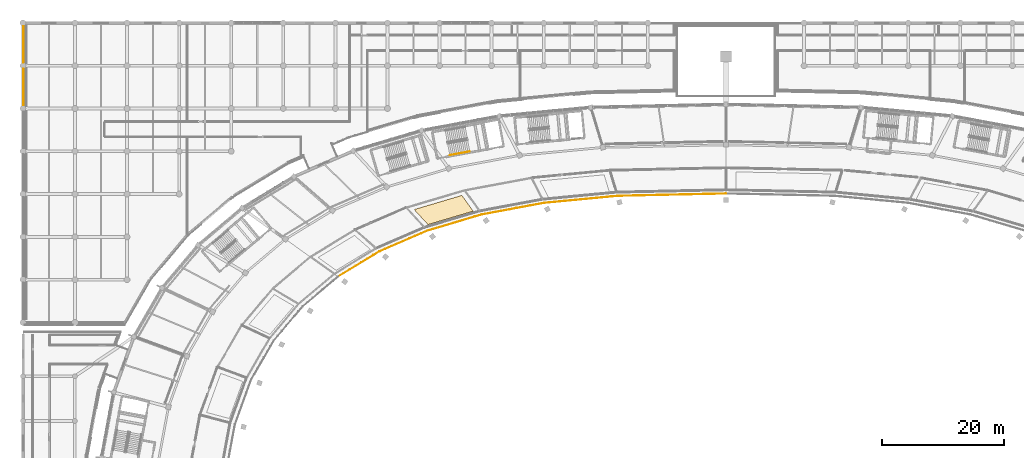
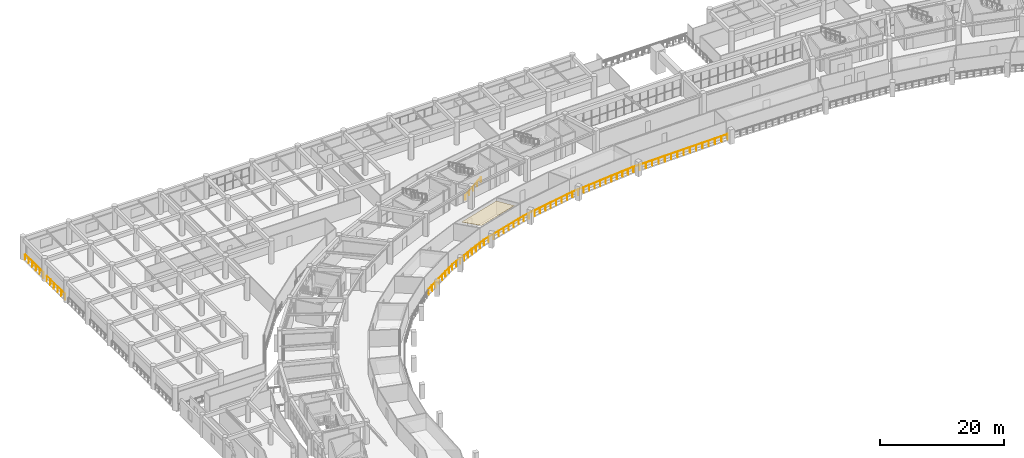
# One storey, part 135 of 141: 4 railings, 1 covering.
"""IFC4 building model written with IfcOpenShell, lengths in metres."""

import ifcopenshell
import ifcopenshell.guid

model = None  # the IFC model being written
_history = None  # IfcOwnerHistory: only IFC2X3 demands one
_inside = {}  # id of a spatial element -> (the spatial element, [elements in it])
_under = {}  # id of a project, library or spatial element -> (it, [spatial elements below it])
_declared = {}  # id of a project -> (the project, [libraries it declares])
_typed = {}  # id of a type object -> (the type object, [elements of that type])
_made_of = {}  # id of a material, layer set ... -> (it, [elements and type objects made of it])


def new_model(schema):
    """Start an empty IFC model of exactly this schema.

    Asked for "IFC4X3", IfcOpenShell would pick the latest addendum, in which some entities
    have other attributes; the version numbers below select the first issue.
    IFC2X3 requires an IfcOwnerHistory on every rooted entity: one is made here for all.
    """
    global model, _history
    if schema == "IFC4X3":
        model = ifcopenshell.file(schema_version=(4, 3, 0, 0))
    else:
        model = ifcopenshell.file(schema=schema)
    _inside.clear()
    _under.clear()
    _declared.clear()
    _typed.clear()
    _made_of.clear()
    _history = None
    if model.schema == "IFC2X3":
        org = make("IfcOrganization", Name="unknown")
        user = make(
            "IfcPersonAndOrganization",
            ThePerson=make("IfcPerson", FamilyName="unknown"),
            TheOrganization=org,
        )
        app = make(
            "IfcApplication",
            ApplicationDeveloper=org,
            Version="unknown",
            ApplicationFullName="unknown",
            ApplicationIdentifier="unknown",
        )
        _history = make(
            "IfcOwnerHistory",
            OwningUser=user,
            OwningApplication=app,
            ChangeAction="ADDED",
            CreationDate=0,
        )
    return model


def make(cls, **values):
    """One entity of the class cls with the attributes given. An attribute that is None is left unset."""
    return model.create_entity(
        cls, **{name: value for name, value in values.items() if value is not None}
    )


def rooted(cls, **values):
    """An entity with a GlobalId (a new one), such as an element, a storey or a relation."""
    return make(cls, GlobalId=ifcopenshell.guid.new(), OwnerHistory=_history, **values)


def si_unit(unit_type, name, prefix=None):
    """IfcSIUnit, for example si_unit("LENGTHUNIT", "METRE", prefix="MILLI")."""
    return make("IfcSIUnit", UnitType=unit_type, Prefix=prefix, Name=name)


def assignment(units):
    """IfcUnitAssignment: the units of a project."""
    return None if units is None else make("IfcUnitAssignment", Units=units)


def point(xyz):
    """IfcCartesianPoint."""
    return None if xyz is None else make("IfcCartesianPoint", Coordinates=xyz)


def direction(xyz):
    """IfcDirection."""
    return None if xyz is None else make("IfcDirection", DirectionRatios=xyz)


def frame(location, z_axis=None, x_axis=None):
    """IfcAxis2Placement3D, a coordinate frame: its origin and axes. An axis left out is left unset."""
    return make(
        "IfcAxis2Placement3D",
        Location=point(location),
        Axis=direction(z_axis),
        RefDirection=direction(x_axis),
    )


def frame_2d(location, x_axis=None):
    """IfcAxis2Placement2D, a coordinate frame in the plane: its origin and x axis."""
    return make(
        "IfcAxis2Placement2D", Location=point(location), RefDirection=direction(x_axis)
    )


def origin():
    """The frame at (0, 0, 0) with its axes left unset."""
    return frame((0.0, 0.0, 0.0))


def origin_2d():
    """The frame at (0, 0) in the plane with its x axis left unset."""
    return frame_2d((0.0, 0.0))


def place(relative_to, where):
    """IfcLocalPlacement: puts the frame where relative to a parent placement (None: the world)."""
    return make(
        "IfcLocalPlacement", PlacementRelTo=relative_to, RelativePlacement=where
    )


def context(
    kind, dimensions, precision=None, world=None, true_north=None, identifier=None
):
    """IfcGeometricRepresentationContext, for example the 3D "Model" context."""
    return make(
        "IfcGeometricRepresentationContext",
        ContextIdentifier=identifier,
        ContextType=kind,
        CoordinateSpaceDimension=dimensions,
        Precision=precision,
        WorldCoordinateSystem=world,
        TrueNorth=true_north,
    )


def subcontext(parent, identifier, kind, view, scale=None):
    """IfcGeometricRepresentationSubContext, for example "Body" below "Model"."""
    return make(
        "IfcGeometricRepresentationSubContext",
        ContextIdentifier=identifier,
        ContextType=kind,
        ParentContext=parent,
        TargetScale=scale,
        TargetView=view,
    )


def project(units=None, contexts=None):
    """IfcProject with its units and contexts."""
    return rooted(
        "IfcProject",
        Name="project",
        RepresentationContexts=contexts,
        UnitsInContext=assignment(units),
    )


def spatial(cls, under=None, at=None, **own):
    """A site, building, storey or space (cls), placed at a placement, below another one or the project."""
    s = rooted(cls, ObjectPlacement=at, **own)
    if under is not None:
        _under.setdefault(under.id(), (under, []))[1].append(s)
    return s


def polyline(points):
    """IfcPolyline through the points."""
    return make("IfcPolyline", Points=[point(p) for p in points])


def profile(cls, at=None, kind="AREA", **sizes):
    """A parametric profile (cls). Its sizes go by their IFC names, for example OverallWidth=200.0."""
    return make(cls, ProfileType=kind, Position=at, **sizes)


def circle(**sizes):
    """IfcCircleProfileDef."""
    return profile("IfcCircleProfileDef", **sizes)


def outline(outer, holes=None, kind="AREA"):
    """IfcArbitraryClosedProfileDef: a profile drawn as a closed curve; with holes, ...WithVoids."""
    if holes is None:
        return make("IfcArbitraryClosedProfileDef", ProfileType=kind, OuterCurve=outer)
    return make(
        "IfcArbitraryProfileDefWithVoids",
        ProfileType=kind,
        OuterCurve=outer,
        InnerCurves=holes,
    )


def extrude(swept, where, along, depth):
    """IfcExtrudedAreaSolid: the profile swept, set in the frame where, extruded along a direction by depth."""
    return make(
        "IfcExtrudedAreaSolid",
        SweptArea=swept,
        Position=where,
        ExtrudedDirection=direction(along),
        Depth=depth,
    )


def shape(context_of_items, identifier, shape_type, items):
    """IfcShapeRepresentation: the items that make up one representation, for example the "Body"."""
    return make(
        "IfcShapeRepresentation",
        ContextOfItems=context_of_items,
        RepresentationIdentifier=identifier,
        RepresentationType=shape_type,
        Items=items,
    )


def material(Name=None, Category=None):
    """IfcMaterial."""
    return make("IfcMaterial", Name=Name, Category=Category)


def layer(
    of_material, thickness, ventilated=None, Name=None, Category=None, Priority=None
):
    """IfcMaterialLayer: one layer of a wall or slab, of a material (None: an air gap)."""
    return make(
        "IfcMaterialLayer",
        Material=of_material,
        LayerThickness=thickness,
        IsVentilated=ventilated,
        Name=Name,
        Category=Category,
        Priority=Priority,
    )


def layer_set(layers, Name=None):
    """IfcMaterialLayerSet."""
    return make("IfcMaterialLayerSet", MaterialLayers=layers, LayerSetName=Name)


def made_of(thing, what):
    """Note that an element or type object is made of a material, layer set ...; save() writes the relation."""
    if what is not None:
        _made_of.setdefault(what.id(), (what, []))[1].append(thing)
    return thing


def type_object(cls, material=None, **own):
    """A type object (cls), such as IfcWallType, which elements share."""
    return made_of(rooted(cls, **own), material)


def element(
    cls,
    number,
    at=None,
    inside=None,
    cuts=None,
    type_object=None,
    material=None,
    context=None,
    identifier="Body",
    shape_type=None,
    held_by="IfcProductDefinitionShape",
    body=None,
    shapes=None,
    **own,
):
    """One element of the class cls, such as IfcWall. Its Tag is "e" and its number.

    at: its placement. inside: the storey or other place that contains it. cuts: it is an
    opening in that element (IfcRelVoidsElement). A single representation is given by context,
    identifier, shape_type and body (its items); several are given by shapes. held_by: the class
    of the entity that holds the representations. save() writes the other relations.
    """
    e = rooted(cls, Tag="e%d" % number, ObjectPlacement=at, **own)
    if body is not None:
        shapes = [shape(context, identifier, shape_type, body)]
    if shapes is not None:
        e.Representation = make(held_by, Representations=shapes)
    if inside is not None:
        _inside.setdefault(inside.id(), (inside, []))[1].append(e)
    if cuts is not None:
        rooted(
            "IfcRelVoidsElement", RelatingBuildingElement=cuts, RelatedOpeningElement=e
        )
    if type_object is not None:
        _typed.setdefault(type_object.id(), (type_object, []))[1].append(e)
    return made_of(e, material)


def aggregate(whole, parts):
    """IfcRelAggregates: a whole, such as a stair, and the parts it consists of."""
    return rooted("IfcRelAggregates", RelatingObject=whole, RelatedObjects=parts)


def save(model, path):
    """Write the relations noted so far, then the file.

    IfcRelAggregates (storeys below a building ...), IfcRelContainedInSpatialStructure (elements
    in a storey), IfcRelDefinesByType, IfcRelAssociatesMaterial and IfcRelDeclares: one each for
    every whole, place, type object, material and project.
    """
    for whole, parts in _under.values():
        aggregate(whole, parts)
    for where, things in _inside.values():
        rooted(
            "IfcRelContainedInSpatialStructure",
            RelatedElements=things,
            RelatingStructure=where,
        )
    for kind, things in _typed.values():
        rooted("IfcRelDefinesByType", RelatedObjects=things, RelatingType=kind)
    for what, things in _made_of.values():
        rooted("IfcRelAssociatesMaterial", RelatedObjects=things, RelatingMaterial=what)
    for by, libraries in _declared.values():
        rooted("IfcRelDeclares", RelatingContext=by, RelatedDefinitions=libraries)
    model.write(path)


model = new_model("IFC4")

# Units and contexts
model_context = context("Model", 3, precision=1e-05, world=origin(), true_north=direction((0.0, 1.0)))
body_context = subcontext(model_context, "Body", "Model", "MODEL_VIEW")
ifc_project = project(units=[si_unit("LENGTHUNIT", "METRE"), si_unit("AREAUNIT", "SQUARE_METRE"), si_unit("VOLUMEUNIT", "CUBIC_METRE"), si_unit("PLANEANGLEUNIT", "RADIAN"), si_unit("MASSUNIT", "GRAM", prefix="KILO")], contexts=[model_context])

# Site, building, storey
site_placement = place(None, origin())
site = spatial("IfcSite", under=ifc_project, at=site_placement, CompositionType="ELEMENT")
building_placement = place(site_placement, origin())
building = spatial("IfcBuilding", under=site, at=building_placement, Name="Mphavela Belvedere Stadium", CompositionType="ELEMENT")
storey_placement = place(building_placement, frame((0.0, 0.0, 14.699951171875)))
storey = spatial("IfcBuildingStorey", under=building, at=storey_placement, Name="L03", CompositionType="ELEMENT", Elevation=14.699951171875)

# Covering
ifc_material_1 = material(Name="Perforated acoustic mineral ceiling tile")
ifc_layer = layer(ifc_material_1, 0.0400390625)
ifc_layer_set = layer_set([ifc_layer], Name="Perforated acoustic mineral ceiling tile")
covering_type = type_object("IfcCoveringType", Name="COV-CEILING-ACOUSTIC", PredefinedType="CEILING", material=ifc_layer_set)
covering_placement = place(storey_placement, frame((0.0, 0.0, 3.199951171875)))
element("IfcCovering", 1, at=covering_placement, inside=storey, type_object=covering_type, Name="Concourse acoustic ceiling L03-16", PredefinedType="CEILING", context=body_context, shape_type="SweptSolid", body=[
    extrude(outline(polyline([(73.65234375, 143.20751953125), (66.2607421875, 141.013427734375), (63.997802734375, 143.467529296875), (71.802978515625, 145.7841796875), (73.65234375, 143.20751953125)])), origin(), (0.0, 0.0, 1.0), 0.0400390625),
])

# Railings
ifc_material_2 = material(Name="Bronze and laminated glass stadium balustrade", Category="glass")
railing_type_1 = type_object("IfcRailingType", Name="RAL-BALUSTRADE-1120", PredefinedType="BALUSTRADE", material=ifc_material_2)
railing_1_placement = place(storey_placement, frame((115.0, 146.074951171875, 0.0)))
element("IfcRailing", 2, at=railing_1_placement, inside=storey, type_object=railing_type_1, Name="Bowl safety balustrade l03_bowl S3", PredefinedType="BALUSTRADE", context=body_context, shape_type="SweptSolid", body=[
    extrude(circle(Radius=0.02392578125, at=origin_2d()), frame((0.0, 0.0, 1.09619140625), z_axis=(-0.999768266575, -0.021527032999, 0.0), x_axis=(0.021527032999, -0.999768266575, 0.0)), (0.0, 0.0, 1.0), 17.737548828125),
    extrude(circle(Radius=0.02392578125, at=origin_2d()), frame((-17.7333984375, -0.3818359375, 1.09619140625), z_axis=(-0.995484264722, -0.09492670168, 0.0), x_axis=(0.09492670168, -0.995484264722, 0.0)), (0.0, 0.0, 1.0), 12.04931640625),
    extrude(circle(Radius=0.02392578125, at=origin_2d()), frame((-29.728271484375, -1.525634765625, 1.09619140625), z_axis=(-0.983095612922, -0.183092915902, 0.0), x_axis=(0.183092915902, -0.983095612922, 0.0)), (0.0, 0.0, 1.0), 10.382080078125),
    extrude(circle(Radius=0.02392578125, at=origin_2d()), frame((-39.934814453125, -3.426513671875, 1.09619140625), z_axis=(-0.958661836311, -0.284547858189, 0.0), x_axis=(0.284547858189, -0.958661836311, 0.0)), (0.0, 0.0, 1.0), 9.315185546875),
    extrude(circle(Radius=0.02392578125, at=origin_2d()), frame((-48.864990234375, -6.0771484375, 1.09619140625), z_axis=(-0.917499572249, -0.397736765869, 0.0), x_axis=(0.397736765869, -0.917499572249, 0.0)), (0.0, 0.0, 1.0), 8.529052734375),
    extrude(circle(Radius=0.02392578125, at=origin_2d()), frame((-56.6904296875, -9.469482421875, 1.09619140625), z_axis=(-0.854316094817, -0.519753797617, 0.0), x_axis=(0.519753797617, -0.854316094817, 0.0)), (0.0, 0.0, 1.0), 7.940185546875),
    extrude(circle(Radius=0.02099609375, at=origin_2d()), origin(), (0.0, 0.0, 1.0), 1.072021484375),
    extrude(circle(Radius=0.02099609375, at=origin_2d()), frame((-1.18212890625, -0.025390625, 0.0)), (0.0, 0.0, 1.0), 1.072021484375),
    extrude(circle(Radius=0.02099609375, at=origin_2d()), frame((-2.364501953125, -0.051025390625, 0.0)), (0.0, 0.0, 1.0), 1.072021484375),
    extrude(circle(Radius=0.02099609375, at=origin_2d()), frame((-3.546630859375, -0.076416015625, 0.0)), (0.0, 0.0, 1.0), 1.072021484375),
    extrude(circle(Radius=0.02099609375, at=origin_2d()), frame((-4.72900390625, -0.101806640625, 0.0)), (0.0, 0.0, 1.0), 1.072021484375),
    extrude(circle(Radius=0.02099609375, at=origin_2d()), frame((-5.9111328125, -0.127197265625, 0.0)), (0.0, 0.0, 1.0), 1.072021484375),
    extrude(circle(Radius=0.02099609375, at=origin_2d()), frame((-7.09326171875, -0.15283203125, 0.0)), (0.0, 0.0, 1.0), 1.072021484375),
    extrude(circle(Radius=0.02099609375, at=origin_2d()), frame((-8.275634765625, -0.17822265625, 0.0)), (0.0, 0.0, 1.0), 1.072021484375),
    extrude(circle(Radius=0.02099609375, at=origin_2d()), frame((-9.457763671875, -0.20361328125, 0.0)), (0.0, 0.0, 1.0), 1.072021484375),
    extrude(circle(Radius=0.02099609375, at=origin_2d()), frame((-10.64013671875, -0.22900390625, 0.0)), (0.0, 0.0, 1.0), 1.072021484375),
    extrude(circle(Radius=0.02099609375, at=origin_2d()), frame((-11.822265625, -0.254638671875, 0.0)), (0.0, 0.0, 1.0), 1.072021484375),
    extrude(circle(Radius=0.02099609375, at=origin_2d()), frame((-13.00439453125, -0.280029296875, 0.0)), (0.0, 0.0, 1.0), 1.072021484375),
    extrude(circle(Radius=0.02099609375, at=origin_2d()), frame((-14.186767578125, -0.305419921875, 0.0)), (0.0, 0.0, 1.0), 1.072021484375),
    extrude(circle(Radius=0.02099609375, at=origin_2d()), frame((-15.368896484375, -0.330810546875, 0.0)), (0.0, 0.0, 1.0), 1.072021484375),
    extrude(circle(Radius=0.02099609375, at=origin_2d()), frame((-16.55126953125, -0.3564453125, 0.0)), (0.0, 0.0, 1.0), 1.072021484375),
    extrude(circle(Radius=0.02099609375, at=origin_2d()), frame((-17.7333984375, -0.3818359375, 0.0)), (0.0, 0.0, 1.0), 1.072021484375),
    extrude(circle(Radius=0.02099609375, at=origin_2d()), frame((-18.82373046875, -0.48583984375, 0.0)), (0.0, 0.0, 1.0), 1.072021484375),
    extrude(circle(Radius=0.02099609375, at=origin_2d()), frame((-19.914306640625, -0.58984375, 0.0)), (0.0, 0.0, 1.0), 1.072021484375),
    extrude(circle(Radius=0.02099609375, at=origin_2d()), frame((-21.004638671875, -0.69384765625, 0.0)), (0.0, 0.0, 1.0), 1.072021484375),
    extrude(circle(Radius=0.02099609375, at=origin_2d()), frame((-22.09521484375, -0.7978515625, 0.0)), (0.0, 0.0, 1.0), 1.072021484375),
    extrude(circle(Radius=0.02099609375, at=origin_2d()), frame((-23.185546875, -0.90185546875, 0.0)), (0.0, 0.0, 1.0), 1.072021484375),
    extrude(circle(Radius=0.02099609375, at=origin_2d()), frame((-24.276123046875, -1.005615234375, 0.0)), (0.0, 0.0, 1.0), 1.072021484375),
    extrude(circle(Radius=0.02099609375, at=origin_2d()), frame((-25.366455078125, -1.109619140625, 0.0)), (0.0, 0.0, 1.0), 1.072021484375),
    extrude(circle(Radius=0.02099609375, at=origin_2d()), frame((-26.45703125, -1.213623046875, 0.0)), (0.0, 0.0, 1.0), 1.072021484375),
    extrude(circle(Radius=0.02099609375, at=origin_2d()), frame((-27.54736328125, -1.317626953125, 0.0)), (0.0, 0.0, 1.0), 1.072021484375),
    extrude(circle(Radius=0.02099609375, at=origin_2d()), frame((-28.637939453125, -1.421630859375, 0.0)), (0.0, 0.0, 1.0), 1.072021484375),
    extrude(circle(Radius=0.02099609375, at=origin_2d()), frame((-29.728271484375, -1.525634765625, 0.0)), (0.0, 0.0, 1.0), 1.072021484375),
    extrude(circle(Radius=0.02099609375, at=origin_2d()), frame((-30.8623046875, -1.73681640625, 0.0)), (0.0, 0.0, 1.0), 1.072021484375),
    extrude(circle(Radius=0.02099609375, at=origin_2d()), frame((-31.996337890625, -1.947998046875, 0.0)), (0.0, 0.0, 1.0), 1.072021484375),
    extrude(circle(Radius=0.02099609375, at=origin_2d()), frame((-33.13037109375, -2.1591796875, 0.0)), (0.0, 0.0, 1.0), 1.072021484375),
    extrude(circle(Radius=0.02099609375, at=origin_2d()), frame((-34.264404296875, -2.370361328125, 0.0)), (0.0, 0.0, 1.0), 1.072021484375),
    extrude(circle(Radius=0.02099609375, at=origin_2d()), frame((-35.398681640625, -2.581787109375, 0.0)), (0.0, 0.0, 1.0), 1.072021484375),
    extrude(circle(Radius=0.02099609375, at=origin_2d()), frame((-36.53271484375, -2.79296875, 0.0)), (0.0, 0.0, 1.0), 1.072021484375),
    extrude(circle(Radius=0.02099609375, at=origin_2d()), frame((-37.666748046875, -3.004150390625, 0.0)), (0.0, 0.0, 1.0), 1.072021484375),
    extrude(circle(Radius=0.02099609375, at=origin_2d()), frame((-38.80078125, -3.21533203125, 0.0)), (0.0, 0.0, 1.0), 1.072021484375),
    extrude(circle(Radius=0.02099609375, at=origin_2d()), frame((-39.934814453125, -3.426513671875, 0.0)), (0.0, 0.0, 1.0), 1.072021484375),
    extrude(circle(Radius=0.02099609375, at=origin_2d()), frame((-41.051025390625, -3.7578125, 0.0)), (0.0, 0.0, 1.0), 1.072021484375),
    extrude(circle(Radius=0.02099609375, at=origin_2d()), frame((-42.16748046875, -4.089111328125, 0.0)), (0.0, 0.0, 1.0), 1.072021484375),
    extrude(circle(Radius=0.02099609375, at=origin_2d()), frame((-43.28369140625, -4.42041015625, 0.0)), (0.0, 0.0, 1.0), 1.072021484375),
    extrude(circle(Radius=0.02099609375, at=origin_2d()), frame((-44.39990234375, -4.751953125, 0.0)), (0.0, 0.0, 1.0), 1.072021484375),
    extrude(circle(Radius=0.02099609375, at=origin_2d()), frame((-45.51611328125, -5.083251953125, 0.0)), (0.0, 0.0, 1.0), 1.072021484375),
    extrude(circle(Radius=0.02099609375, at=origin_2d()), frame((-46.63232421875, -5.41455078125, 0.0)), (0.0, 0.0, 1.0), 1.072021484375),
    extrude(circle(Radius=0.02099609375, at=origin_2d()), frame((-47.748779296875, -5.745849609375, 0.0)), (0.0, 0.0, 1.0), 1.072021484375),
    extrude(circle(Radius=0.02099609375, at=origin_2d()), frame((-48.864990234375, -6.0771484375, 0.0)), (0.0, 0.0, 1.0), 1.072021484375),
    extrude(circle(Radius=0.02099609375, at=origin_2d()), frame((-49.84326171875, -6.501220703125, 0.0)), (0.0, 0.0, 1.0), 1.072021484375),
    extrude(circle(Radius=0.02099609375, at=origin_2d()), frame((-50.8212890625, -6.92529296875, 0.0)), (0.0, 0.0, 1.0), 1.072021484375),
    extrude(circle(Radius=0.02099609375, at=origin_2d()), frame((-51.799560546875, -7.349365234375, 0.0)), (0.0, 0.0, 1.0), 1.072021484375),
    extrude(circle(Radius=0.02099609375, at=origin_2d()), frame((-52.77783203125, -7.7734375, 0.0)), (0.0, 0.0, 1.0), 1.072021484375),
    extrude(circle(Radius=0.02099609375, at=origin_2d()), frame((-53.755859375, -8.197265625, 0.0)), (0.0, 0.0, 1.0), 1.072021484375),
    extrude(circle(Radius=0.02099609375, at=origin_2d()), frame((-54.734130859375, -8.621337890625, 0.0)), (0.0, 0.0, 1.0), 1.072021484375),
    extrude(circle(Radius=0.02099609375, at=origin_2d()), frame((-55.712158203125, -9.04541015625, 0.0)), (0.0, 0.0, 1.0), 1.072021484375),
    extrude(circle(Radius=0.02099609375, at=origin_2d()), frame((-56.6904296875, -9.469482421875, 0.0)), (0.0, 0.0, 1.0), 1.072021484375),
    extrude(circle(Radius=0.02099609375, at=origin_2d()), frame((-57.659423828125, -10.05908203125, 0.0)), (0.0, 0.0, 1.0), 1.072021484375),
    extrude(circle(Radius=0.02099609375, at=origin_2d()), frame((-58.628662109375, -10.648681640625, 0.0)), (0.0, 0.0, 1.0), 1.072021484375),
    extrude(circle(Radius=0.02099609375, at=origin_2d()), frame((-59.59765625, -11.23828125, 0.0)), (0.0, 0.0, 1.0), 1.072021484375),
    extrude(circle(Radius=0.02099609375, at=origin_2d()), frame((-60.566650390625, -11.82763671875, 0.0)), (0.0, 0.0, 1.0), 1.072021484375),
    extrude(circle(Radius=0.02099609375, at=origin_2d()), frame((-61.53564453125, -12.417236328125, 0.0)), (0.0, 0.0, 1.0), 1.072021484375),
    extrude(circle(Radius=0.02099609375, at=origin_2d()), frame((-62.5048828125, -13.0068359375, 0.0)), (0.0, 0.0, 1.0), 1.072021484375),
    extrude(circle(Radius=0.02099609375, at=origin_2d()), frame((-63.473876953125, -13.596435546875, 0.0)), (0.0, 0.0, 1.0), 1.072021484375),
])
for number, where, name in (
    (3, (0.080078125, 160.54345703125, 0.0), "Peristyle wing gallery edge balustrade L03-42"),
    (4, (0.080078125, 167.54345703125, 0.0), "Peristyle wing gallery edge balustrade L03-43"),
):
    element("IfcRailing", number, at=place(storey_placement, frame(where)), inside=storey, type_object=railing_type_1, Name=name, PredefinedType="BALUSTRADE", context=body_context, shape_type="SweptSolid", body=[
        extrude(circle(Radius=0.02392578125, at=origin_2d()), frame((0.0, 0.0, 1.09619140625), z_axis=(0.0, 1.0, 0.0), x_axis=(-1.0, 0.0, 0.0)), (0.0, 0.0, 1.0), 5.9130859375),
        extrude(circle(Radius=0.02099609375, at=origin_2d()), origin(), (0.0, 0.0, 1.0), 1.072021484375),
        extrude(circle(Radius=0.02099609375, at=origin_2d()), frame((0.0, 1.1826171875, 0.0)), (0.0, 0.0, 1.0), 1.072021484375),
        extrude(circle(Radius=0.02099609375, at=origin_2d()), frame((0.0, 2.365234375, 0.0)), (0.0, 0.0, 1.0), 1.072021484375),
        extrude(circle(Radius=0.02099609375, at=origin_2d()), frame((0.0, 3.5478515625, 0.0)), (0.0, 0.0, 1.0), 1.072021484375),
        extrude(circle(Radius=0.02099609375, at=origin_2d()), frame((0.0, 4.73046875, 0.0)), (0.0, 0.0, 1.0), 1.072021484375),
        extrude(circle(Radius=0.02099609375, at=origin_2d()), frame((0.0, 5.9130859375, 0.0)), (0.0, 0.0, 1.0), 1.072021484375),
    ])
ifc_material_3 = material(Name="Brushed stainless steel tubular handrail", Category="steel")
railing_type_2 = type_object("IfcRailingType", Name="RAL-HANDRAIL-900", PredefinedType="HANDRAIL", material=ifc_material_3)
railing_2_placement = place(storey_placement, frame((69.827392578125, 152.358642578125, 0.1875)))
element("IfcRailing", 5, at=railing_2_placement, inside=storey, type_object=railing_type_2, Name="L03 ST-C02 stair handrail 1", PredefinedType="HANDRAIL", context=body_context, shape_type="SweptSolid", body=[
    extrude(circle(Radius=0.02392578125, at=origin_2d()), frame((0.0, 0.0, 0.8759765625), z_axis=(0.835218061398, 0.155530252743, 0.527466710226), x_axis=(-0.183068151301, 0.983100224789, 0.0)), (0.0, 0.0, 1.0), 3.91015625),
    extrude(circle(Radius=0.02099609375, at=origin_2d()), origin(), (0.0, 0.0, 1.0), 0.851806640625),
    extrude(circle(Radius=0.02099609375, at=origin_2d()), frame((0.81640625, 0.152099609375, 0.515625)), (0.0, 0.0, 1.0), 0.851806640625),
    extrude(circle(Radius=0.02099609375, at=origin_2d()), frame((1.6328125, 0.30419921875, 1.03125)), (0.0, 0.0, 1.0), 0.851806640625),
    extrude(circle(Radius=0.02099609375, at=origin_2d()), frame((2.449462890625, 0.4560546875, 1.546875)), (0.0, 0.0, 1.0), 0.851806640625),
    extrude(circle(Radius=0.02099609375, at=origin_2d()), frame((3.265869140625, 0.608154296875, 2.0625)), (0.0, 0.0, 1.0), 0.851806640625),
])

save(model, "model.ifc")
